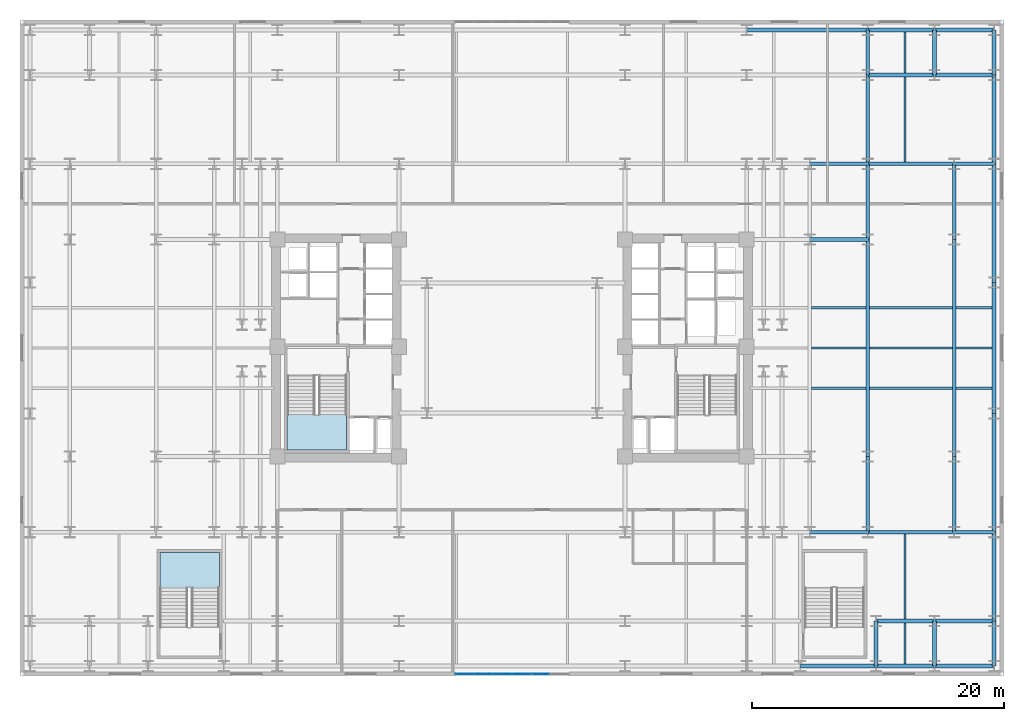
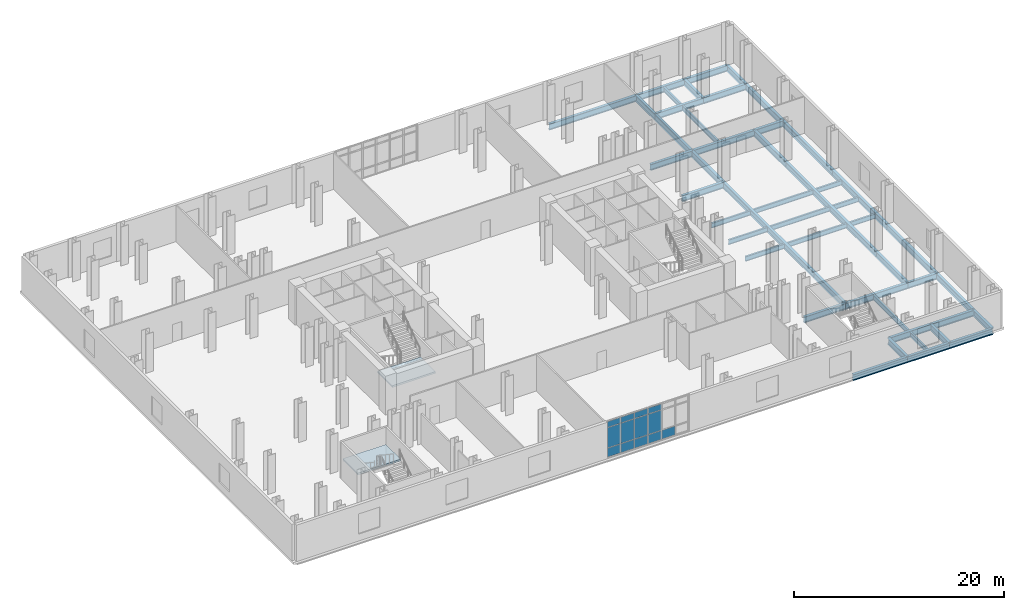
# One storey, part 6 of 13: 48 beams, 13 plates, 2 slabs, 3 elements without a shape of their own.
"""IFC4 building model written with IfcOpenShell, lengths in metres."""

from ifc_helpers import new_model, si_unit, direction, frame, origin, origin_2d, place, context, subcontext, project, spatial, polyline, rectangle, i_section, outline, extrude, material, layer, layer_set, material_profile, profile_set, type_object, element, aggregate, save


model = new_model("IFC4")

# Units and contexts
model_context = context("Model", 3, precision=1e-05, world=origin(), true_north=direction((0.0, 1.0)))
body_context = subcontext(model_context, "Body", "Model", "MODEL_VIEW")
ifc_project = project(units=[si_unit("LENGTHUNIT", "METRE"), si_unit("AREAUNIT", "SQUARE_METRE"), si_unit("VOLUMEUNIT", "CUBIC_METRE"), si_unit("PLANEANGLEUNIT", "RADIAN"), si_unit("MASSUNIT", "GRAM", prefix="KILO")], contexts=[model_context])

# Site, building, storey
site_placement = place(None, origin())
site = spatial("IfcSite", under=ifc_project, at=site_placement, CompositionType="ELEMENT")
building_placement = place(site_placement, origin())
building = spatial("IfcBuilding", under=site, at=building_placement, Name="Velakula Bourse", CompositionType="ELEMENT")
storey_placement = place(building_placement, frame((0.0, 0.0, 9.60009765625)))
storey = spatial("IfcBuildingStorey", under=building, at=storey_placement, Name="L02", CompositionType="ELEMENT", Elevation=9.60009765625)

# Beams
ifc_material_1 = material(Name="Steel IS 2062 Grade 350 (E350)", Category="steel")
ifc_material_profile_1 = material_profile(ifc_material_1, i_section(OverallWidth=0.300048828125, OverallDepth=0.699951171875, WebThickness=0.01611328125, FlangeThickness=0.02490234375, at=origin_2d()), Name="Steel IS 2062 Grade 350 (E350)")
ifc_profile_set_1 = profile_set([ifc_material_profile_1], Name="Steel IS 2062 Grade 350 (E350)")
beam_type_1 = type_object("IfcBeamType", Name="BM-POD-700", PredefinedType="BEAM", material=ifc_profile_set_1)
for number, where, z_axis, x_axis, name in (
    (1, (23.60009765625, -14.60009765625, -0.60009765625), (1.0, 0.0, 0.0), (0.0, 1.0, 0.0), "L02 Fulcrum Grid Girder WNG-ES1"),
    (2, (23.60009765625, 8.60009765625, -0.60009765625), (1.0, 0.0, 0.0), (0.0, 1.0, 0.0), "L02 Fulcrum Grid Girder WNG-EN1"),
    (3, (23.60009765625, 14.60009765625, -0.60009765625), (1.0, 0.0, 0.0), (0.0, 1.0, 0.0), "L02 Fulcrum Grid Girder WNG-EN2"),
):
    element("IfcBeam", number, at=place(storey_placement, frame(where, z_axis=z_axis, x_axis=x_axis)), inside=storey, type_object=beam_type_1, Name=name, PredefinedType="BEAM", context=body_context, shape_type="SweptSolid", body=[
        extrude(i_section(OverallWidth=0.300048828125, OverallDepth=0.699951171875, WebThickness=0.01611328125, FlangeThickness=0.02490234375, at=origin_2d()), origin(), (0.0, 0.0, 1.0), 4.599853515625),
    ])
beam_1_placement = place(storey_placement, frame((28.199951171875, -14.60009765625, -0.60009765625), z_axis=(0.0, 1.0, 0.0), x_axis=(-1.0, 0.0, 0.0)))
element("IfcBeam", 4, at=beam_1_placement, inside=storey, type_object=beam_type_1, Name="L02 Fulcrum Grid Girder WNG-ENS1", PredefinedType="BEAM", context=body_context, shape_type="SweptSolid", body=[
    extrude(i_section(OverallWidth=0.300048828125, OverallDepth=0.699951171875, WebThickness=0.01611328125, FlangeThickness=0.02490234375, at=origin_2d()), origin(), (0.0, 0.0, 1.0), 6.0),
])
beam_2_placement = place(storey_placement, frame((28.199951171875, -8.60009765625, -0.60009765625), z_axis=(0.0, 1.0, 0.0), x_axis=(-1.0, 0.0, 0.0)))
element("IfcBeam", 5, at=beam_2_placement, inside=storey, type_object=beam_type_1, Name="L02 Fulcrum Grid Girder WNG-ENS2", PredefinedType="BEAM", context=body_context, shape_type="SweptSolid", body=[
    extrude(i_section(OverallWidth=0.300048828125, OverallDepth=0.699951171875, WebThickness=0.01611328125, FlangeThickness=0.02490234375, at=origin_2d()), origin(), (0.0, 0.0, 1.0), 17.2001953125),
])
for number, where, z_axis, x_axis, name in (
    (6, (28.199951171875, 8.60009765625, -0.60009765625), (0.0, 1.0, 0.0), (-1.0, 0.0, 0.0), "L02 Fulcrum Grid Girder WNG-ENS3"),
    (7, (22.85009765625, -25.199951171875, -0.60009765625), (1.0, 0.0, 0.0), (0.0, 1.0, 0.0), "L02 Podium E-W Girder 09"),
):
    element("IfcBeam", number, at=place(storey_placement, frame(where, z_axis=z_axis, x_axis=x_axis)), inside=storey, type_object=beam_type_1, Name=name, PredefinedType="BEAM", context=body_context, shape_type="SweptSolid", body=[
        extrude(i_section(OverallWidth=0.300048828125, OverallDepth=0.699951171875, WebThickness=0.01611328125, FlangeThickness=0.02490234375, at=origin_2d()), origin(), (0.0, 0.0, 1.0), 6.0),
    ])
beam_3_placement = place(storey_placement, frame((28.85009765625, -25.199951171875, -0.60009765625), z_axis=(1.0, 0.0, 0.0), x_axis=(0.0, 1.0, 0.0)))
element("IfcBeam", 8, at=beam_3_placement, inside=storey, type_object=beam_type_1, Name="L02 Podium E-W Girder 10", PredefinedType="BEAM", context=body_context, shape_type="SweptSolid", body=[
    extrude(i_section(OverallWidth=0.300048828125, OverallDepth=0.699951171875, WebThickness=0.01611328125, FlangeThickness=0.02490234375, at=origin_2d()), origin(), (0.0, 0.0, 1.0), 4.64990234375),
])
beam_4_placement = place(storey_placement, frame((33.5, -25.199951171875, -0.60009765625), z_axis=(1.0, 0.0, 0.0), x_axis=(0.0, 1.0, 0.0)))
element("IfcBeam", 9, at=beam_4_placement, inside=storey, type_object=beam_type_1, Name="L02 Podium E-W Girder 11", PredefinedType="BEAM", context=body_context, shape_type="SweptSolid", body=[
    extrude(i_section(OverallWidth=0.300048828125, OverallDepth=0.699951171875, WebThickness=0.01611328125, FlangeThickness=0.02490234375, at=origin_2d()), origin(), (0.0, 0.0, 1.0), 4.699951171875),
])
beam_5_placement = place(storey_placement, frame((28.85009765625, -21.64990234375, -0.60009765625), z_axis=(1.0, 0.0, 0.0), x_axis=(0.0, 1.0, 0.0)))
element("IfcBeam", 10, at=beam_5_placement, inside=storey, type_object=beam_type_1, Name="L02 Podium E-W Girder 19", PredefinedType="BEAM", context=body_context, shape_type="SweptSolid", body=[
    extrude(i_section(OverallWidth=0.300048828125, OverallDepth=0.699951171875, WebThickness=0.01611328125, FlangeThickness=0.02490234375, at=origin_2d()), origin(), (0.0, 0.0, 1.0), 4.64990234375),
])
beam_6_placement = place(storey_placement, frame((33.5, -21.64990234375, -0.60009765625), z_axis=(1.0, 0.0, 0.0), x_axis=(0.0, 1.0, 0.0)))
element("IfcBeam", 11, at=beam_6_placement, inside=storey, type_object=beam_type_1, Name="L02 Podium E-W Girder 20", PredefinedType="BEAM", context=body_context, shape_type="SweptSolid", body=[
    extrude(i_section(OverallWidth=0.300048828125, OverallDepth=0.699951171875, WebThickness=0.01611328125, FlangeThickness=0.02490234375, at=origin_2d()), origin(), (0.0, 0.0, 1.0), 4.699951171875),
])
beam_7_placement = place(storey_placement, frame((28.199951171875, -14.60009765625, -0.60009765625), z_axis=(1.0, 0.0, 0.0), x_axis=(0.0, 1.0, 0.0)))
element("IfcBeam", 12, at=beam_7_placement, inside=storey, type_object=beam_type_1, Name="L02 Podium E-W Girder 32", PredefinedType="BEAM", context=body_context, shape_type="SweptSolid", body=[
    extrude(i_section(OverallWidth=0.300048828125, OverallDepth=0.699951171875, WebThickness=0.01611328125, FlangeThickness=0.02490234375, at=origin_2d()), origin(), (0.0, 0.0, 1.0), 6.85009765625),
])
beam_8_placement = place(storey_placement, frame((35.050048828125, -14.60009765625, -0.60009765625), z_axis=(1.0, 0.0, 0.0), x_axis=(0.0, 1.0, 0.0)))
element("IfcBeam", 13, at=beam_8_placement, inside=storey, type_object=beam_type_1, Name="L02 Podium E-W Girder 33", PredefinedType="BEAM", context=body_context, shape_type="SweptSolid", body=[
    extrude(i_section(OverallWidth=0.300048828125, OverallDepth=0.699951171875, WebThickness=0.01611328125, FlangeThickness=0.02490234375, at=origin_2d()), origin(), (0.0, 0.0, 1.0), 3.14990234375),
])
beam_9_placement = place(storey_placement, frame((28.199951171875, 14.60009765625, -0.60009765625), z_axis=(1.0, 0.0, 0.0), x_axis=(0.0, 1.0, 0.0)))
element("IfcBeam", 14, at=beam_9_placement, inside=storey, type_object=beam_type_1, Name="L02 Podium E-W Girder 45", PredefinedType="BEAM", context=body_context, shape_type="SweptSolid", body=[
    extrude(i_section(OverallWidth=0.300048828125, OverallDepth=0.699951171875, WebThickness=0.01611328125, FlangeThickness=0.02490234375, at=origin_2d()), origin(), (0.0, 0.0, 1.0), 6.85009765625),
])
beam_10_placement = place(storey_placement, frame((35.050048828125, 14.60009765625, -0.60009765625), z_axis=(1.0, 0.0, 0.0), x_axis=(0.0, 1.0, 0.0)))
element("IfcBeam", 15, at=beam_10_placement, inside=storey, type_object=beam_type_1, Name="L02 Podium E-W Girder 46", PredefinedType="BEAM", context=body_context, shape_type="SweptSolid", body=[
    extrude(i_section(OverallWidth=0.300048828125, OverallDepth=0.699951171875, WebThickness=0.01611328125, FlangeThickness=0.02490234375, at=origin_2d()), origin(), (0.0, 0.0, 1.0), 3.14990234375),
])
beam_11_placement = place(storey_placement, frame((28.199951171875, 21.64990234375, -0.60009765625), z_axis=(1.0, 0.0, 0.0), x_axis=(0.0, 1.0, 0.0)))
element("IfcBeam", 16, at=beam_11_placement, inside=storey, type_object=beam_type_1, Name="L02 Podium E-W Girder 54", PredefinedType="BEAM", context=body_context, shape_type="SweptSolid", body=[
    extrude(i_section(OverallWidth=0.300048828125, OverallDepth=0.699951171875, WebThickness=0.01611328125, FlangeThickness=0.02490234375, at=origin_2d()), origin(), (0.0, 0.0, 1.0), 5.300048828125),
])
beam_12_placement = place(storey_placement, frame((33.5, 21.64990234375, -0.60009765625), z_axis=(1.0, 0.0, 0.0), x_axis=(0.0, 1.0, 0.0)))
element("IfcBeam", 17, at=beam_12_placement, inside=storey, type_object=beam_type_1, Name="L02 Podium E-W Girder 55", PredefinedType="BEAM", context=body_context, shape_type="SweptSolid", body=[
    extrude(i_section(OverallWidth=0.300048828125, OverallDepth=0.699951171875, WebThickness=0.01611328125, FlangeThickness=0.02490234375, at=origin_2d()), origin(), (0.0, 0.0, 1.0), 4.699951171875),
])
beam_13_placement = place(storey_placement, frame((18.60009765625, 25.199951171875, -0.60009765625), z_axis=(1.0, 0.0, 0.0), x_axis=(0.0, 1.0, 0.0)))
element("IfcBeam", 18, at=beam_13_placement, inside=storey, type_object=beam_type_1, Name="L02 Podium E-W Girder 62", PredefinedType="BEAM", context=body_context, shape_type="SweptSolid", body=[
    extrude(i_section(OverallWidth=0.300048828125, OverallDepth=0.699951171875, WebThickness=0.01611328125, FlangeThickness=0.02490234375, at=origin_2d()), origin(), (0.0, 0.0, 1.0), 9.599853515625),
])
beam_14_placement = place(storey_placement, frame((28.199951171875, 25.199951171875, -0.60009765625), z_axis=(1.0, 0.0, 0.0), x_axis=(0.0, 1.0, 0.0)))
element("IfcBeam", 19, at=beam_14_placement, inside=storey, type_object=beam_type_1, Name="L02 Podium E-W Girder 63", PredefinedType="BEAM", context=body_context, shape_type="SweptSolid", body=[
    extrude(i_section(OverallWidth=0.300048828125, OverallDepth=0.699951171875, WebThickness=0.01611328125, FlangeThickness=0.02490234375, at=origin_2d()), origin(), (0.0, 0.0, 1.0), 5.300048828125),
])
beam_15_placement = place(storey_placement, frame((33.5, 25.199951171875, -0.60009765625), z_axis=(1.0, 0.0, 0.0), x_axis=(0.0, 1.0, 0.0)))
element("IfcBeam", 20, at=beam_15_placement, inside=storey, type_object=beam_type_1, Name="L02 Podium E-W Girder 64", PredefinedType="BEAM", context=body_context, shape_type="SweptSolid", body=[
    extrude(i_section(OverallWidth=0.300048828125, OverallDepth=0.699951171875, WebThickness=0.01611328125, FlangeThickness=0.02490234375, at=origin_2d()), origin(), (0.0, 0.0, 1.0), 4.699951171875),
])
beam_16_placement = place(storey_placement, frame((28.199951171875, 14.60009765625, -0.60009765625), z_axis=(0.0, 1.0, 0.0), x_axis=(-1.0, 0.0, 0.0)))
element("IfcBeam", 21, at=beam_16_placement, inside=storey, type_object=beam_type_1, Name="L02 Podium N-S Girder 85", PredefinedType="BEAM", context=body_context, shape_type="SweptSolid", body=[
    extrude(i_section(OverallWidth=0.300048828125, OverallDepth=0.699951171875, WebThickness=0.01611328125, FlangeThickness=0.02490234375, at=origin_2d()), origin(), (0.0, 0.0, 1.0), 7.0498046875),
])
for number, where, z_axis, x_axis, name in (
    (22, (28.199951171875, 21.64990234375, -0.60009765625), (0.0, 1.0, 0.0), (-1.0, 0.0, 0.0), "L02 Podium N-S Girder 86"),
    (23, (28.85009765625, -25.199951171875, -0.60009765625), (0.0, 1.0, 0.0), (-1.0, 0.0, 0.0), "L02 Podium N-S Girder 87"),
    (24, (33.5, -25.199951171875, -0.60009765625), (0.0, 1.0, 0.0), (-1.0, 0.0, 0.0), "L02 Podium N-S Girder 88"),
):
    element("IfcBeam", number, at=place(storey_placement, frame(where, z_axis=z_axis, x_axis=x_axis)), inside=storey, type_object=beam_type_1, Name=name, PredefinedType="BEAM", context=body_context, shape_type="SweptSolid", body=[
        extrude(i_section(OverallWidth=0.300048828125, OverallDepth=0.699951171875, WebThickness=0.01611328125, FlangeThickness=0.02490234375, at=origin_2d()), origin(), (0.0, 0.0, 1.0), 3.550048828125),
    ])
beam_17_placement = place(storey_placement, frame((35.050048828125, -14.60009765625, -0.60009765625), z_axis=(0.0, 1.0, 0.0), x_axis=(-1.0, 0.0, 0.0)))
element("IfcBeam", 25, at=beam_17_placement, inside=storey, type_object=beam_type_1, Name="L02 Podium N-S Girder 89", PredefinedType="BEAM", context=body_context, shape_type="SweptSolid", body=[
    extrude(i_section(OverallWidth=0.300048828125, OverallDepth=0.699951171875, WebThickness=0.01611328125, FlangeThickness=0.02490234375, at=origin_2d()), origin(), (0.0, 0.0, 1.0), 6.0),
])
beam_18_placement = place(storey_placement, frame((35.050048828125, -8.60009765625, -0.60009765625), z_axis=(0.0, 1.0, 0.0), x_axis=(-1.0, 0.0, 0.0)))
element("IfcBeam", 26, at=beam_18_placement, inside=storey, type_object=beam_type_1, Name="L02 Podium N-S Girder 90", PredefinedType="BEAM", context=body_context, shape_type="SweptSolid", body=[
    extrude(i_section(OverallWidth=0.300048828125, OverallDepth=0.699951171875, WebThickness=0.01611328125, FlangeThickness=0.02490234375, at=origin_2d()), origin(), (0.0, 0.0, 1.0), 17.2001953125),
])
beam_19_placement = place(storey_placement, frame((35.050048828125, 8.60009765625, -0.60009765625), z_axis=(0.0, 1.0, 0.0), x_axis=(-1.0, 0.0, 0.0)))
element("IfcBeam", 27, at=beam_19_placement, inside=storey, type_object=beam_type_1, Name="L02 Podium N-S Girder 91", PredefinedType="BEAM", context=body_context, shape_type="SweptSolid", body=[
    extrude(i_section(OverallWidth=0.300048828125, OverallDepth=0.699951171875, WebThickness=0.01611328125, FlangeThickness=0.02490234375, at=origin_2d()), origin(), (0.0, 0.0, 1.0), 6.0),
])
beam_20_placement = place(storey_placement, frame((38.199951171875, -25.199951171875, -0.60009765625), z_axis=(0.0, 1.0, 0.0), x_axis=(-1.0, 0.0, 0.0)))
element("IfcBeam", 28, at=beam_20_placement, inside=storey, type_object=beam_type_1, Name="L02 Podium N-S Girder 92", PredefinedType="BEAM", context=body_context, shape_type="SweptSolid", body=[
    extrude(i_section(OverallWidth=0.300048828125, OverallDepth=0.699951171875, WebThickness=0.01611328125, FlangeThickness=0.02490234375, at=origin_2d()), origin(), (0.0, 0.0, 1.0), 3.550048828125),
])
beam_21_placement = place(storey_placement, frame((38.199951171875, -21.64990234375, -0.60009765625), z_axis=(0.0, 1.0, 0.0), x_axis=(-1.0, 0.0, 0.0)))
element("IfcBeam", 29, at=beam_21_placement, inside=storey, type_object=beam_type_1, Name="L02 Podium N-S Girder 93", PredefinedType="BEAM", context=body_context, shape_type="SweptSolid", body=[
    extrude(i_section(OverallWidth=0.300048828125, OverallDepth=0.699951171875, WebThickness=0.01611328125, FlangeThickness=0.02490234375, at=origin_2d()), origin(), (0.0, 0.0, 1.0), 7.0498046875),
])
beam_22_placement = place(storey_placement, frame((38.199951171875, -14.60009765625, -0.60009765625), z_axis=(0.0, 1.0, 0.0), x_axis=(-1.0, 0.0, 0.0)))
element("IfcBeam", 30, at=beam_22_placement, inside=storey, type_object=beam_type_1, Name="L02 Podium N-S Girder 94", PredefinedType="BEAM", context=body_context, shape_type="SweptSolid", body=[
    extrude(i_section(OverallWidth=0.300048828125, OverallDepth=0.699951171875, WebThickness=0.01611328125, FlangeThickness=0.02490234375, at=origin_2d()), origin(), (0.0, 0.0, 1.0), 9.400146484375),
])
beam_23_placement = place(storey_placement, frame((38.199951171875, -5.199951171875, -0.60009765625), z_axis=(0.0, 1.0, 0.0), x_axis=(-1.0, 0.0, 0.0)))
element("IfcBeam", 31, at=beam_23_placement, inside=storey, type_object=beam_type_1, Name="L02 Podium N-S Girder 95", PredefinedType="BEAM", context=body_context, shape_type="SweptSolid", body=[
    extrude(i_section(OverallWidth=0.300048828125, OverallDepth=0.699951171875, WebThickness=0.01611328125, FlangeThickness=0.02490234375, at=origin_2d()), origin(), (0.0, 0.0, 1.0), 10.39990234375),
])
beam_24_placement = place(storey_placement, frame((38.199951171875, 5.199951171875, -0.60009765625), z_axis=(0.0, 1.0, 0.0), x_axis=(-1.0, 0.0, 0.0)))
element("IfcBeam", 32, at=beam_24_placement, inside=storey, type_object=beam_type_1, Name="L02 Podium N-S Girder 96", PredefinedType="BEAM", context=body_context, shape_type="SweptSolid", body=[
    extrude(i_section(OverallWidth=0.300048828125, OverallDepth=0.699951171875, WebThickness=0.01611328125, FlangeThickness=0.02490234375, at=origin_2d()), origin(), (0.0, 0.0, 1.0), 9.400146484375),
])
beam_25_placement = place(storey_placement, frame((38.199951171875, 14.60009765625, -0.60009765625), z_axis=(0.0, 1.0, 0.0), x_axis=(-1.0, 0.0, 0.0)))
element("IfcBeam", 33, at=beam_25_placement, inside=storey, type_object=beam_type_1, Name="L02 Podium N-S Girder 97", PredefinedType="BEAM", context=body_context, shape_type="SweptSolid", body=[
    extrude(i_section(OverallWidth=0.300048828125, OverallDepth=0.699951171875, WebThickness=0.01611328125, FlangeThickness=0.02490234375, at=origin_2d()), origin(), (0.0, 0.0, 1.0), 7.0498046875),
])
for number, where, z_axis, x_axis, name in (
    (34, (38.199951171875, 21.64990234375, -0.60009765625), (0.0, 1.0, 0.0), (-1.0, 0.0, 0.0), "L02 Podium N-S Girder 98"),
    (35, (33.5, 21.64990234375, -0.60009765625), (0.0, 1.0, 0.0), (-1.0, 0.0, 0.0), "L02 Podium N-S Girder 100"),
):
    element("IfcBeam", number, at=place(storey_placement, frame(where, z_axis=z_axis, x_axis=x_axis)), inside=storey, type_object=beam_type_1, Name=name, PredefinedType="BEAM", context=body_context, shape_type="SweptSolid", body=[
        extrude(i_section(OverallWidth=0.300048828125, OverallDepth=0.699951171875, WebThickness=0.01611328125, FlangeThickness=0.02490234375, at=origin_2d()), origin(), (0.0, 0.0, 1.0), 3.550048828125),
    ])
ifc_material_profile_2 = material_profile(ifc_material_1, i_section(OverallWidth=0.18994140625, OverallDepth=0.550048828125, WebThickness=0.01123046875, FlangeThickness=0.019287109375, at=origin_2d()), Name="Steel IS 2062 Grade 350 (E350)")
ifc_profile_set_2 = profile_set([ifc_material_profile_2], Name="Steel IS 2062 Grade 350 (E350)")
beam_type_2 = type_object("IfcBeamType", Name="JST-POD-550", PredefinedType="JOIST", material=ifc_profile_set_2)
beam_26_placement = place(storey_placement, frame((31.14990234375, -25.050048828125, -0.525146484375), z_axis=(0.0, 1.0, 0.0), x_axis=(-1.0, 0.0, 0.0)))
element("IfcBeam", 36, at=beam_26_placement, inside=storey, type_object=beam_type_2, Name="L02 Station Podium Floor Joist 29", PredefinedType="JOIST", context=body_context, shape_type="SweptSolid", body=[
    extrude(i_section(OverallWidth=0.18994140625, OverallDepth=0.550048828125, WebThickness=0.01123046875, FlangeThickness=0.019287109375, at=origin_2d()), origin(), (0.0, 0.0, 1.0), 3.25),
])
for number, where, z_axis, x_axis, name in (
    (37, (31.14990234375, -21.5, -0.525146484375), (0.0, 1.0, 0.0), (-1.0, 0.0, 0.0), "L02 Station Podium Floor Joist 30"),
    (38, (31.14990234375, 14.75, -0.525146484375), (0.0, 1.0, 0.0), (-1.0, 0.0, 0.0), "L02 Station Podium Floor Joist 31"),
):
    element("IfcBeam", number, at=place(storey_placement, frame(where, z_axis=z_axis, x_axis=x_axis)), inside=storey, type_object=beam_type_2, Name=name, PredefinedType="JOIST", context=body_context, shape_type="SweptSolid", body=[
        extrude(i_section(OverallWidth=0.18994140625, OverallDepth=0.550048828125, WebThickness=0.01123046875, FlangeThickness=0.019287109375, at=origin_2d()), origin(), (0.0, 0.0, 1.0), 6.75),
    ])
beam_27_placement = place(storey_placement, frame((31.14990234375, 21.800048828125, -0.525146484375), z_axis=(0.0, 1.0, 0.0), x_axis=(-1.0, 0.0, 0.0)))
element("IfcBeam", 39, at=beam_27_placement, inside=storey, type_object=beam_type_2, Name="L02 Station Podium Floor Joist 32", PredefinedType="JOIST", context=body_context, shape_type="SweptSolid", body=[
    extrude(i_section(OverallWidth=0.18994140625, OverallDepth=0.550048828125, WebThickness=0.01123046875, FlangeThickness=0.019287109375, at=origin_2d()), origin(), (0.0, 0.0, 1.0), 3.25),
])
beam_28_placement = place(storey_placement, frame((23.75, -3.199951171875, -0.525146484375), z_axis=(1.0, 0.0, 0.0), x_axis=(0.0, 1.0, 0.0)))
element("IfcBeam", 40, at=beam_28_placement, inside=storey, type_object=beam_type_2, Name="L02 Station Wing Floor Joist 38", PredefinedType="JOIST", context=body_context, shape_type="SweptSolid", body=[
    extrude(i_section(OverallWidth=0.18994140625, OverallDepth=0.550048828125, WebThickness=0.01123046875, FlangeThickness=0.019287109375, at=origin_2d()), origin(), (0.0, 0.0, 1.0), 4.300048828125),
])
beam_29_placement = place(storey_placement, frame((28.35009765625, -3.199951171875, -0.525146484375), z_axis=(1.0, 0.0, 0.0), x_axis=(0.0, 1.0, 0.0)))
element("IfcBeam", 41, at=beam_29_placement, inside=storey, type_object=beam_type_2, Name="L02 Station Wing Floor Joist 39", PredefinedType="JOIST", context=body_context, shape_type="SweptSolid", body=[
    extrude(i_section(OverallWidth=0.18994140625, OverallDepth=0.550048828125, WebThickness=0.01123046875, FlangeThickness=0.019287109375, at=origin_2d()), origin(), (0.0, 0.0, 1.0), 6.5498046875),
])
beam_30_placement = place(storey_placement, frame((35.199951171875, -3.199951171875, -0.525146484375), z_axis=(1.0, 0.0, 0.0), x_axis=(0.0, 1.0, 0.0)))
element("IfcBeam", 42, at=beam_30_placement, inside=storey, type_object=beam_type_2, Name="L02 Station Wing Floor Joist 40", PredefinedType="JOIST", context=body_context, shape_type="SweptSolid", body=[
    extrude(i_section(OverallWidth=0.18994140625, OverallDepth=0.550048828125, WebThickness=0.01123046875, FlangeThickness=0.019287109375, at=origin_2d()), origin(), (0.0, 0.0, 1.0), 2.85009765625),
])
beam_31_placement = place(storey_placement, frame((23.75, 0.0, -0.525146484375), z_axis=(1.0, 0.0, 0.0), x_axis=(0.0, 1.0, 0.0)))
element("IfcBeam", 43, at=beam_31_placement, inside=storey, type_object=beam_type_2, Name="L02 Station Wing Floor Joist 46", PredefinedType="JOIST", context=body_context, shape_type="SweptSolid", body=[
    extrude(i_section(OverallWidth=0.18994140625, OverallDepth=0.550048828125, WebThickness=0.01123046875, FlangeThickness=0.019287109375, at=origin_2d()), origin(), (0.0, 0.0, 1.0), 4.300048828125),
])
beam_32_placement = place(storey_placement, frame((28.35009765625, 0.0, -0.525146484375), z_axis=(1.0, 0.0, 0.0), x_axis=(0.0, 1.0, 0.0)))
element("IfcBeam", 44, at=beam_32_placement, inside=storey, type_object=beam_type_2, Name="L02 Station Wing Floor Joist 47", PredefinedType="JOIST", context=body_context, shape_type="SweptSolid", body=[
    extrude(i_section(OverallWidth=0.18994140625, OverallDepth=0.550048828125, WebThickness=0.01123046875, FlangeThickness=0.019287109375, at=origin_2d()), origin(), (0.0, 0.0, 1.0), 6.5498046875),
])
beam_33_placement = place(storey_placement, frame((35.199951171875, 0.0, -0.525146484375), z_axis=(1.0, 0.0, 0.0), x_axis=(0.0, 1.0, 0.0)))
element("IfcBeam", 45, at=beam_33_placement, inside=storey, type_object=beam_type_2, Name="L02 Station Wing Floor Joist 48", PredefinedType="JOIST", context=body_context, shape_type="SweptSolid", body=[
    extrude(i_section(OverallWidth=0.18994140625, OverallDepth=0.550048828125, WebThickness=0.01123046875, FlangeThickness=0.019287109375, at=origin_2d()), origin(), (0.0, 0.0, 1.0), 2.85009765625),
])
beam_34_placement = place(storey_placement, frame((23.75, 3.199951171875, -0.525146484375), z_axis=(1.0, 0.0, 0.0), x_axis=(0.0, 1.0, 0.0)))
element("IfcBeam", 46, at=beam_34_placement, inside=storey, type_object=beam_type_2, Name="L02 Station Wing Floor Joist 54", PredefinedType="JOIST", context=body_context, shape_type="SweptSolid", body=[
    extrude(i_section(OverallWidth=0.18994140625, OverallDepth=0.550048828125, WebThickness=0.01123046875, FlangeThickness=0.019287109375, at=origin_2d()), origin(), (0.0, 0.0, 1.0), 4.300048828125),
])
beam_35_placement = place(storey_placement, frame((28.35009765625, 3.199951171875, -0.525146484375), z_axis=(1.0, 0.0, 0.0), x_axis=(0.0, 1.0, 0.0)))
element("IfcBeam", 47, at=beam_35_placement, inside=storey, type_object=beam_type_2, Name="L02 Station Wing Floor Joist 55", PredefinedType="JOIST", context=body_context, shape_type="SweptSolid", body=[
    extrude(i_section(OverallWidth=0.18994140625, OverallDepth=0.550048828125, WebThickness=0.01123046875, FlangeThickness=0.019287109375, at=origin_2d()), origin(), (0.0, 0.0, 1.0), 6.5498046875),
])
beam_36_placement = place(storey_placement, frame((35.199951171875, 3.199951171875, -0.525146484375), z_axis=(1.0, 0.0, 0.0), x_axis=(0.0, 1.0, 0.0)))
element("IfcBeam", 48, at=beam_36_placement, inside=storey, type_object=beam_type_2, Name="L02 Station Wing Floor Joist 56", PredefinedType="JOIST", context=body_context, shape_type="SweptSolid", body=[
    extrude(i_section(OverallWidth=0.18994140625, OverallDepth=0.550048828125, WebThickness=0.01123046875, FlangeThickness=0.019287109375, at=origin_2d()), origin(), (0.0, 0.0, 1.0), 2.85009765625),
])

# Curtain wall, plates
ifc_material_2 = material(Name="Anodised bronze architectural aluminium", Category="aluminium")
ifc_layer_1 = layer(ifc_material_2, 0.179931640625, Name="Anodised bronze architectural aluminium", Category="aluminium")
ifc_layer_set_1 = layer_set([ifc_layer_1], Name="Anodised bronze architectural aluminium")
curtain_wall_type = type_object("IfcCurtainWallType", Name="CW-PD1", PredefinedType="NOTDEFINED", material=ifc_layer_set_1)
curtain_wall_placement = place(storey_placement, origin())
curtain_wall = element("IfcCurtainWall", 49, at=curtain_wall_placement, inside=storey, type_object=curtain_wall_type, Name="L02 South Station Galleria Curtain Wall 2", PredefinedType="NOTDEFINED")
ifc_material_3 = material(Name="Double-glazed solar-control Low-E glass", Category="glass")
ifc_layer_2 = layer(ifc_material_3, 0.02587890625, Name="Double-glazed solar-control Low-E glass", Category="glass")
ifc_layer_set_2 = layer_set([ifc_layer_2], Name="Double-glazed solar-control Low-E glass")
plate_type = type_object("IfcPlateType", Name="PNL-CW-PD1", PredefinedType="CURTAIN_PANEL", material=ifc_layer_set_2)
plate_1_placement = place(storey_placement, frame((2.25, -25.840087890625, 0.06005859375), z_axis=(0.0, 0.0, 1.0), x_axis=(-1.0, 0.0, 0.0)))
plate_1 = element("IfcPlate", 50, at=plate_1_placement, type_object=plate_type, Name="CW-PD1 panel 2.1", PredefinedType="CURTAIN_PANEL", context=body_context, shape_type="SweptSolid", body=[
    extrude(rectangle(XDim=1.43994140625, YDim=0.028076171875, at=origin_2d()), origin(), (0.0, 0.0, 1.0), 1.010009765625),
])
plate_2_placement = place(storey_placement, frame((0.75, -25.840087890625, 0.06005859375), z_axis=(0.0, 0.0, 1.0), x_axis=(-1.0, 0.0, 0.0)))
plate_2 = element("IfcPlate", 51, at=plate_2_placement, type_object=plate_type, Name="CW-PD1 panel 3.1", PredefinedType="CURTAIN_PANEL", context=body_context, shape_type="SweptSolid", body=[
    extrude(rectangle(XDim=1.43994140625, YDim=0.028076171875, at=origin_2d()), origin(), (0.0, 0.0, 1.0), 1.010009765625),
])
plate_3_placement = place(storey_placement, frame((0.75, -25.840087890625, 1.1298828125), z_axis=(0.0, 0.0, 1.0), x_axis=(-1.0, 0.0, 0.0)))
plate_3 = element("IfcPlate", 52, at=plate_3_placement, type_object=plate_type, Name="CW-PD1 panel 3.2", PredefinedType="CURTAIN_PANEL", context=body_context, shape_type="SweptSolid", body=[
    extrude(rectangle(XDim=1.43994140625, YDim=0.028076171875, at=origin_2d()), origin(), (0.0, 0.0, 1.0), 2.320068359375),
])
plate_4_placement = place(storey_placement, frame((0.75, -25.840087890625, 3.509765625), z_axis=(0.0, 0.0, 1.0), x_axis=(-1.0, 0.0, 0.0)))
plate_4 = element("IfcPlate", 53, at=plate_4_placement, type_object=plate_type, Name="CW-PD1 panel 3.3", PredefinedType="CURTAIN_PANEL", context=body_context, shape_type="SweptSolid", body=[
    extrude(rectangle(XDim=1.43994140625, YDim=0.028076171875, at=origin_2d()), origin(), (0.0, 0.0, 1.0), 0.659912109375),
])
plate_5_placement = place(storey_placement, frame((-0.75, -25.840087890625, 0.06005859375), z_axis=(0.0, 0.0, 1.0), x_axis=(-1.0, 0.0, 0.0)))
plate_5 = element("IfcPlate", 54, at=plate_5_placement, type_object=plate_type, Name="CW-PD1 panel 4.1", PredefinedType="CURTAIN_PANEL", context=body_context, shape_type="SweptSolid", body=[
    extrude(rectangle(XDim=1.43994140625, YDim=0.028076171875, at=origin_2d()), origin(), (0.0, 0.0, 1.0), 1.010009765625),
])
plate_6_placement = place(storey_placement, frame((-0.75, -25.840087890625, 1.1298828125), z_axis=(0.0, 0.0, 1.0), x_axis=(-1.0, 0.0, 0.0)))
plate_6 = element("IfcPlate", 55, at=plate_6_placement, type_object=plate_type, Name="CW-PD1 panel 4.2", PredefinedType="CURTAIN_PANEL", context=body_context, shape_type="SweptSolid", body=[
    extrude(rectangle(XDim=1.43994140625, YDim=0.028076171875, at=origin_2d()), origin(), (0.0, 0.0, 1.0), 2.320068359375),
])
plate_7_placement = place(storey_placement, frame((-0.75, -25.840087890625, 3.509765625), z_axis=(0.0, 0.0, 1.0), x_axis=(-1.0, 0.0, 0.0)))
plate_7 = element("IfcPlate", 56, at=plate_7_placement, type_object=plate_type, Name="CW-PD1 panel 4.3", PredefinedType="CURTAIN_PANEL", context=body_context, shape_type="SweptSolid", body=[
    extrude(rectangle(XDim=1.43994140625, YDim=0.028076171875, at=origin_2d()), origin(), (0.0, 0.0, 1.0), 0.659912109375),
])
plate_8_placement = place(storey_placement, frame((-2.25, -25.840087890625, 0.06005859375), z_axis=(0.0, 0.0, 1.0), x_axis=(-1.0, 0.0, 0.0)))
plate_8 = element("IfcPlate", 57, at=plate_8_placement, type_object=plate_type, Name="CW-PD1 panel 5.1", PredefinedType="CURTAIN_PANEL", context=body_context, shape_type="SweptSolid", body=[
    extrude(rectangle(XDim=1.43994140625, YDim=0.028076171875, at=origin_2d()), origin(), (0.0, 0.0, 1.0), 1.010009765625),
])
plate_9_placement = place(storey_placement, frame((-2.25, -25.840087890625, 1.1298828125), z_axis=(0.0, 0.0, 1.0), x_axis=(-1.0, 0.0, 0.0)))
plate_9 = element("IfcPlate", 58, at=plate_9_placement, type_object=plate_type, Name="CW-PD1 panel 5.2", PredefinedType="CURTAIN_PANEL", context=body_context, shape_type="SweptSolid", body=[
    extrude(rectangle(XDim=1.43994140625, YDim=0.028076171875, at=origin_2d()), origin(), (0.0, 0.0, 1.0), 2.320068359375),
])
plate_10_placement = place(storey_placement, frame((-2.25, -25.840087890625, 3.509765625), z_axis=(0.0, 0.0, 1.0), x_axis=(-1.0, 0.0, 0.0)))
plate_10 = element("IfcPlate", 59, at=plate_10_placement, type_object=plate_type, Name="CW-PD1 panel 5.3", PredefinedType="CURTAIN_PANEL", context=body_context, shape_type="SweptSolid", body=[
    extrude(rectangle(XDim=1.43994140625, YDim=0.028076171875, at=origin_2d()), origin(), (0.0, 0.0, 1.0), 0.659912109375),
])
plate_11_placement = place(storey_placement, frame((-3.735107421875, -25.840087890625, 0.06005859375), z_axis=(0.0, 0.0, 1.0), x_axis=(-1.0, 0.0, 0.0)))
plate_11 = element("IfcPlate", 60, at=plate_11_placement, type_object=plate_type, Name="CW-PD1 panel 6.1", PredefinedType="CURTAIN_PANEL", context=body_context, shape_type="SweptSolid", body=[
    extrude(rectangle(XDim=1.409912109375, YDim=0.028076171875, at=origin_2d()), origin(), (0.0, 0.0, 1.0), 1.010009765625),
])
plate_12_placement = place(storey_placement, frame((-3.735107421875, -25.840087890625, 1.1298828125), z_axis=(0.0, 0.0, 1.0), x_axis=(-1.0, 0.0, 0.0)))
plate_12 = element("IfcPlate", 61, at=plate_12_placement, type_object=plate_type, Name="CW-PD1 panel 6.2", PredefinedType="CURTAIN_PANEL", context=body_context, shape_type="SweptSolid", body=[
    extrude(rectangle(XDim=1.409912109375, YDim=0.028076171875, at=origin_2d()), origin(), (0.0, 0.0, 1.0), 2.320068359375),
])
plate_13_placement = place(storey_placement, frame((-3.735107421875, -25.840087890625, 3.509765625), z_axis=(0.0, 0.0, 1.0), x_axis=(-1.0, 0.0, 0.0)))
plate_13 = element("IfcPlate", 62, at=plate_13_placement, type_object=plate_type, Name="CW-PD1 panel 6.3", PredefinedType="CURTAIN_PANEL", context=body_context, shape_type="SweptSolid", body=[
    extrude(rectangle(XDim=1.409912109375, YDim=0.028076171875, at=origin_2d()), origin(), (0.0, 0.0, 1.0), 0.659912109375),
])
aggregate(curtain_wall, [plate_1, plate_2, plate_3, plate_4, plate_5, plate_6, plate_7, plate_8, plate_9, plate_10, plate_11, plate_12, plate_13])

# Stair, slab
ifc_material_4 = material(Name="Concrete M45 (fck 45 MPa)", Category="concrete")
stair_type = type_object("IfcStairType", Name="STR-DOG-435", PredefinedType="HALF_TURN_STAIR", material=ifc_material_4)
stair_1_placement = place(storey_placement, origin())
stair_1 = element("IfcStair", 63, at=stair_1_placement, inside=storey, type_object=stair_type, Name="L02 West Core Exit Stair ST-W1", PredefinedType="HALF_TURN_STAIR")
ifc_layer_3 = layer(ifc_material_4, 0.199951171875, Name="Concrete M45 (fck 45 MPa)", Category="concrete")
ifc_layer_set_3 = layer_set([ifc_layer_3], Name="Concrete M45 (fck 45 MPa)")
slab_type = type_object("IfcSlabType", Name="SLB-STAIR-LND-200", PredefinedType="LANDING", material=ifc_layer_set_3)
slab_1_placement = place(storey_placement, frame((0.0, 0.0, 2.0498046875)))
slab_1 = element("IfcSlab", 64, at=slab_1_placement, type_object=slab_type, Name="ST-W1 landing 1", PredefinedType="LANDING", context=body_context, shape_type="SweptSolid", body=[
    extrude(outline(polyline([(-17.820068359375, -5.280029296875), (-17.820068359375, -8.10009765625), (-13.10009765625, -8.10009765625), (-13.10009765625, -5.280029296875), (-17.820068359375, -5.280029296875)])), origin(), (0.0, 0.0, 1.0), 0.2001953125),
])
aggregate(stair_1, [slab_1])

stair_2_placement = place(storey_placement, origin())
stair_2 = element("IfcStair", 65, at=stair_2_placement, inside=storey, type_object=stair_type, Name="L02 West Podium Exit Stair ST-P1", PredefinedType="HALF_TURN_STAIR")
slab_2_placement = place(storey_placement, frame((0.0, 0.0, 2.0498046875)))
slab_2 = element("IfcSlab", 66, at=slab_2_placement, type_object=slab_type, Name="ST-P1 landing 1", PredefinedType="LANDING", context=body_context, shape_type="SweptSolid", body=[
    extrude(outline(polyline([(-23.199951171875, -19.02001953125), (-23.199951171875, -16.199951171875), (-27.919921875, -16.199951171875), (-27.919921875, -19.02001953125), (-23.199951171875, -19.02001953125)])), origin(), (0.0, 0.0, 1.0), 0.2001953125),
])
aggregate(stair_2, [slab_2])

save(model, "model.ifc")
